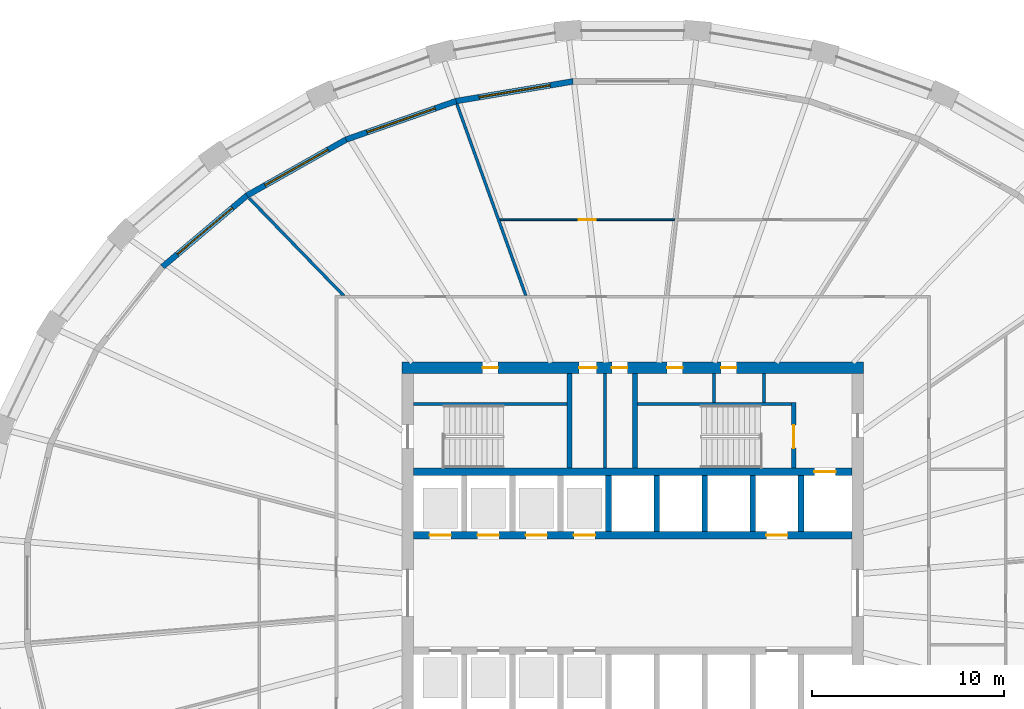
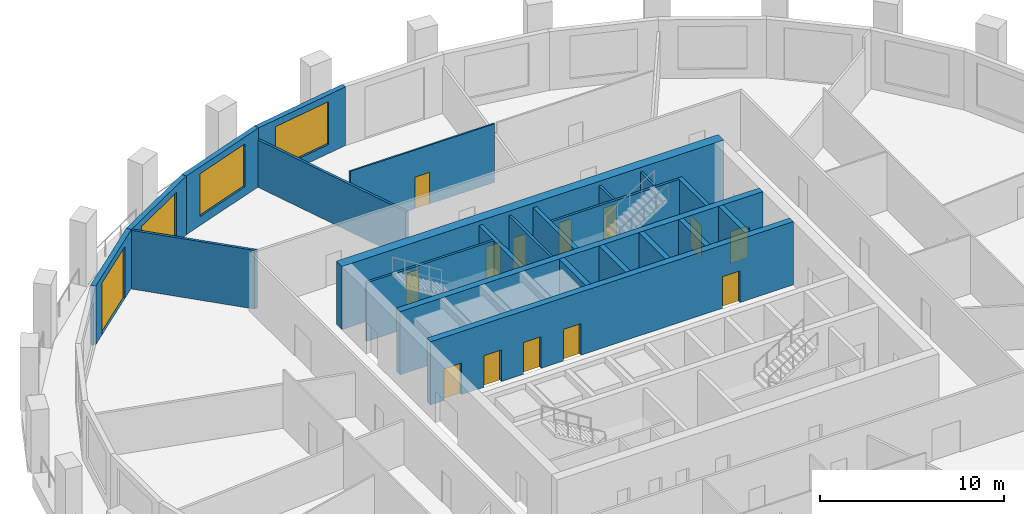
# One storey, part 6 of 11: 23 walls, 14 doors, 3 windows, 17 openings.
"""IFC4 building model written with IfcOpenShell, lengths in metres."""

from ifc_helpers import new_model, si_unit, direction, frame, frame_2d, origin, place, context, subcontext, project, spatial, polyline, rectangle, outline, extrude, material, layer, layer_set, type_object, element, fill, save


model = new_model("IFC4")

# Units and contexts
model_context = context("Model", 3, precision=1e-05, world=origin(), true_north=direction((0.0, 1.0)))
body_context = subcontext(model_context, "Body", "Model", "MODEL_VIEW")
ifc_project = project(units=[si_unit("LENGTHUNIT", "METRE"), si_unit("AREAUNIT", "SQUARE_METRE"), si_unit("VOLUMEUNIT", "CUBIC_METRE"), si_unit("PLANEANGLEUNIT", "RADIAN"), si_unit("MASSUNIT", "GRAM", prefix="KILO")], contexts=[model_context])

# Site, building, storey
site_placement = place(None, origin())
site = spatial("IfcSite", under=ifc_project, at=site_placement, CompositionType="ELEMENT")
building_placement = place(site_placement, origin())
building = spatial("IfcBuilding", under=site, at=building_placement, Name="Halqa Exchange Tower", CompositionType="ELEMENT")
storey_placement = place(building_placement, frame((0.0, 0.0, 142.300048828125)))
storey = spatial("IfcBuildingStorey", under=building, at=storey_placement, Name="L32", CompositionType="ELEMENT", Elevation=142.300048828125)

# Walls
ifc_material_1 = material(Name="Fire-rated gypsum board")
ifc_layer_1 = layer(ifc_material_1, 0.14990234375)
ifc_layer_set_1 = layer_set([ifc_layer_1], Name="Fire-rated gypsum board")
wall_type_1 = type_object("IfcWallType", Name="Fire partition EI 60 150", PredefinedType="PARTITIONING", material=ifc_layer_set_1)
wall_1_placement = place(storey_placement, frame((-14.9921875, 15.423095703125, 0.0), z_axis=(0.0, 0.0, 1.0), x_axis=(-0.696328171708, 0.717723538199, 0.0)))
element("IfcWall", 1, at=wall_1_placement, inside=storey, type_object=wall_type_1, Name="L32-PWL-010", PredefinedType="PARTITIONING", context=body_context, shape_type="SweptSolid", body=[
    extrude(outline(polyline([(7.10888671875, 0.074951171875), (5.367919921875, 0.074951171875), (3.626953125, 0.074951171875), (1.885986328125, 0.074951171875), (0.14501953125, 0.074951171875), (0.0, -0.074462890625), (0.0, -0.074951171875), (1.77734375, -0.074951171875), (3.554443359375, -0.074951171875), (5.33154296875, -0.074951171875), (7.10888671875, -0.074951171875), (7.10888671875, 0.074951171875)])), origin(), (0.0, 0.0, 1.0), 3.89990234375),
])
wall_2_placement = place(storey_placement, frame((-9.136962890625, 25.423583984375, 0.0), z_axis=(0.0, 0.0, 1.0), x_axis=(0.338602834386, -0.940929391902, 0.0)))
element("IfcWall", 2, at=wall_2_placement, inside=storey, type_object=wall_type_1, Name="L32-PWL-013", PredefinedType="PARTITIONING", context=body_context, shape_type="SweptSolid", body=[
    extrude(outline(polyline([(0.0, -0.074951171875), (1.7578125, -0.074951171875), (3.515380859375, -0.074951171875), (5.273193359375, -0.074951171875), (7.03076171875, -0.074951171875), (8.78857421875, -0.074951171875), (10.546142578125, -0.074951171875), (10.599853515625, 0.07421875), (10.599853515625, 0.074951171875), (9.227294921875, 0.074951171875), (7.8544921875, 0.074951171875), (6.48193359375, 0.074951171875), (6.4814453125, 0.07421875), (6.4794921875, 0.074951171875), (4.86279296875, 0.074951171875), (3.246337890625, 0.074951171875), (1.6298828125, 0.074951171875), (0.01318359375, 0.074951171875), (0.00048828125, 0.003662109375), (0.0, -0.03857421875), (0.0, -0.074951171875)])), origin(), (0.0, 0.0, 1.0), 3.14697265625),
])

# Wall, opening, door
ifc_material_2 = material(Name="Gypsum board")
ifc_layer_2 = layer(ifc_material_2, 0.10009765625)
ifc_layer_set_2 = layer_set([ifc_layer_2], Name="Gypsum board")
wall_type_2 = type_object("IfcWallType", Name="Partition 100 gypsum", PredefinedType="PARTITIONING", material=ifc_layer_set_2)
wall_3_placement = place(storey_placement, frame((-6.907470703125, 19.39990234375, 0.0), z_axis=(0.0, 0.0, 1.0), x_axis=(1.0, 0.0, 0.0)))
wall_3 = element("IfcWall", 3, at=wall_3_placement, inside=storey, type_object=wall_type_2, Name="L32-PWL-014", PredefinedType="PARTITIONING", context=body_context, shape_type="SweptSolid", body=[
    extrude(outline(polyline([(0.035888671875, -0.050048828125), (1.847900390625, -0.050048828125), (3.659912109375, -0.050048828125), (5.471923828125, -0.050048828125), (7.283935546875, -0.050048828125), (9.095947265625, -0.050048828125), (9.107421875, 0.047119140625), (9.107421875, 0.050048828125), (7.285888671875, 0.050048828125), (5.46435546875, 0.050048828125), (3.64306640625, 0.050048828125), (1.821533203125, 0.050048828125), (0.0, 0.050048828125), (0.0, 0.04931640625), (0.035888671875, -0.050048828125)])), origin(), (0.0, 0.0, 1.0), 3.89990234375),
])
opening_1_placement = place(wall_3_placement, frame((4.1025390625, 0.0, 0.0)))
opening_1 = element("IfcOpeningElement", 4, at=opening_1_placement, cuts=wall_3, Name="Opening 10-19", PredefinedType="OPENING", context=body_context, shape_type="SweptSolid", body=[
    extrude(rectangle(XDim=0.89990234375, YDim=2.10009765625, at=frame_2d((0.449951171875, 1.050048828125))), frame((0.0, 0.06201171875, 0.0), z_axis=(0.0, -1.0, 0.0), x_axis=(1.0, 0.0, 0.0)), (0.0, 0.0, 1.0), 0.1240234375),
])
ifc_material_3 = material(Name="Timber door leaf", Category="wood")
door_type_1 = type_object("IfcDoorType", Name="Door 900 x 2100", OperationType="SINGLE_SWING_LEFT", PredefinedType="DOOR", material=ifc_material_3)
door_1_placement = place(opening_1_placement, frame((0.89990234375, 0.0, 0.0), z_axis=(0.0, 0.0, 1.0), x_axis=(-1.0, 0.0, 0.0)))
door_1 = element("IfcDoor", 5, at=door_1_placement, inside=storey, type_object=door_type_1, Name="L32-IDR-019", OperationType="SINGLE_SWING_RIGHT", OverallHeight=2.10009765625, OverallWidth=0.89990234375, PredefinedType="DOOR", context=body_context, shape_type="SweptSolid", body=[
    extrude(rectangle(XDim=0.89990234375, YDim=2.10009765625, at=frame_2d((0.449951171875, 1.050048828125))), frame((0.0, 0.02490234375, 0.0), z_axis=(0.0, -1.0, 0.0), x_axis=(1.0, 0.0, 0.0)), (0.0, 0.0, 1.0), 0.050048828125),
])
fill(opening_1, door_1)

# Walls
ifc_layer_3 = layer(ifc_material_2, 0.14990234375)
ifc_layer_set_3 = layer_set([ifc_layer_3], Name="Gypsum board")
wall_type_3 = type_object("IfcWallType", Name="Penthouse riser wall 150 gypsum", PredefinedType="PARTITIONING", material=ifc_layer_set_3)
wall_4_placement = place(storey_placement, frame((-1.425048828125, 6.5, 0.0), z_axis=(0.0, 0.0, 1.0), x_axis=(0.0, 1.0, 0.0)))
element("IfcWall", 6, at=wall_4_placement, inside=storey, type_object=wall_type_3, Name="Partition W1.425 N", PredefinedType="PARTITIONING", context=body_context, shape_type="SweptSolid", body=[
    extrude(rectangle(XDim=4.89990234375, YDim=0.14990234375, at=frame_2d((2.449951171875, 0.0))), origin(), (0.0, 0.0, 1.0), 3.89990234375),
])
for number, where, z_axis, x_axis, name in (
    (7, (4.22509765625, 9.89990234375, 0.0), (0.0, 0.0, 1.0), (0.0, 1.0, 0.0), "Partition E4.225 N"),
    (8, (6.824951171875, 9.89990234375, 0.0), (0.0, 0.0, 1.0), (0.0, 1.0, 0.0), "Firefighting lobby west wall N"),
):
    element("IfcWall", number, at=place(storey_placement, frame(where, z_axis=z_axis, x_axis=x_axis)), inside=storey, type_object=wall_type_3, Name=name, PredefinedType="PARTITIONING", context=body_context, shape_type="SweptSolid", body=[
        extrude(rectangle(XDim=1.5, YDim=0.14990234375, at=frame_2d((0.75, 0.0))), origin(), (0.0, 0.0, 1.0), 3.89990234375),
    ])
ifc_material_4 = material(Name="Concrete C60/75", Category="concrete")
ifc_layer_4 = layer(ifc_material_4, 0.300048828125)
ifc_layer_set_4 = layer_set([ifc_layer_4], Name="Concrete C60/75")
wall_type_4 = type_object("IfcWallType", Name="RC core wall 300", PredefinedType="SHEAR", material=ifc_layer_set_4)
for number, where, z_axis, x_axis, name in (
    (9, (-1.25, 3.199951171875, 0.0), (0.0, 0.0, 1.0), (0.0, 1.0, 0.0), "Shaft divider N4"),
    (10, (1.25, 3.199951171875, 0.0), (0.0, 0.0, 1.0), (0.0, 1.0, 0.0), "Shaft divider N5"),
    (11, (3.75, 3.199951171875, 0.0), (0.0, 0.0, 1.0), (0.0, 1.0, 0.0), "Shaft divider N6"),
    (12, (6.25, 3.199951171875, 0.0), (0.0, 0.0, 1.0), (0.0, 1.0, 0.0), "Shaft divider N7"),
    (13, (8.75, 3.199951171875, 0.0), (0.0, 0.0, 1.0), (0.0, 1.0, 0.0), "Shaft divider N8"),
):
    element("IfcWall", number, at=place(storey_placement, frame(where, z_axis=z_axis, x_axis=x_axis)), inside=storey, type_object=wall_type_4, Name=name, PredefinedType="SHEAR", context=body_context, shape_type="SweptSolid", body=[
        extrude(rectangle(XDim=2.900146484375, YDim=0.300048828125, at=frame_2d((1.4501953125, 0.0))), origin(), (0.0, 0.0, 1.0), 4.199951171875),
    ])

# Wall, openings, doors
ifc_material_5 = material(Name="Concrete C70/85", Category="concrete")
ifc_layer_5 = layer(ifc_material_5, 0.39990234375)
ifc_layer_set_5 = layer_set([ifc_layer_5], Name="Concrete C70/85")
wall_type_5 = type_object("IfcWallType", Name="RC core wall 400 C70/85", PredefinedType="SHEAR", material=ifc_layer_set_5)
wall_5_placement = place(storey_placement, frame((-11.39990234375, 3.0, 0.0), z_axis=(0.0, 0.0, 1.0), x_axis=(1.0, 0.0, 0.0)))
wall_5 = element("IfcWall", 14, at=wall_5_placement, inside=storey, type_object=wall_type_5, Name="Lift row front wall N", PredefinedType="SHEAR", context=body_context, shape_type="SweptSolid", body=[
    extrude(rectangle(XDim=22.7998046875, YDim=0.39990234375, at=frame_2d((11.39990234375, 0.0))), origin(), (0.0, 0.0, 1.0), 4.199951171875),
])
opening_2_placement = place(wall_5_placement, frame((0.85009765625, 0.0, 0.0)))
opening_2 = element("IfcOpeningElement", 15, at=opening_2_placement, cuts=wall_5, Name="Opening LD-LR1-T10", PredefinedType="OPENING", context=body_context, shape_type="SweptSolid", body=[
    extrude(rectangle(XDim=1.10009765625, YDim=2.10009765625, at=frame_2d((0.550048828125, 1.050048828125))), frame((0.0, 0.2119140625, 0.0), z_axis=(0.0, -1.0, 0.0), x_axis=(1.0, 0.0, 0.0)), (0.0, 0.0, 1.0), 0.423828125),
])
opening_3_placement = place(wall_5_placement, frame((3.35009765625, 0.0, 0.0)))
opening_3 = element("IfcOpeningElement", 16, at=opening_3_placement, cuts=wall_5, Name="Opening LD-LR2-T10", PredefinedType="OPENING", context=body_context, shape_type="SweptSolid", body=[
    extrude(rectangle(XDim=1.10009765625, YDim=2.10009765625, at=frame_2d((0.550048828125, 1.050048828125))), frame((0.0, 0.2119140625, 0.0), z_axis=(0.0, -1.0, 0.0), x_axis=(1.0, 0.0, 0.0)), (0.0, 0.0, 1.0), 0.423828125),
])
opening_4_placement = place(wall_5_placement, frame((5.85009765625, 0.0, 0.0)))
opening_4 = element("IfcOpeningElement", 17, at=opening_4_placement, cuts=wall_5, Name="Opening LD-LR3-T10", PredefinedType="OPENING", context=body_context, shape_type="SweptSolid", body=[
    extrude(rectangle(XDim=1.10009765625, YDim=2.10009765625, at=frame_2d((0.550048828125, 1.050048828125))), frame((0.0, 0.2119140625, 0.0), z_axis=(0.0, -1.0, 0.0), x_axis=(1.0, 0.0, 0.0)), (0.0, 0.0, 1.0), 0.423828125),
])
opening_5_placement = place(wall_5_placement, frame((8.35009765625, 0.0, 0.0)))
opening_5 = element("IfcOpeningElement", 18, at=opening_5_placement, cuts=wall_5, Name="Opening LD-LR4-T10", PredefinedType="OPENING", context=body_context, shape_type="SweptSolid", body=[
    extrude(rectangle(XDim=1.10009765625, YDim=2.10009765625, at=frame_2d((0.550048828125, 1.050048828125))), frame((0.0, 0.2119140625, 0.0), z_axis=(0.0, -1.0, 0.0), x_axis=(1.0, 0.0, 0.0)), (0.0, 0.0, 1.0), 0.423828125),
])
opening_6_placement = place(wall_5_placement, frame((18.35009765625, 0.0, 0.0)))
opening_6 = element("IfcOpeningElement", 19, at=opening_6_placement, cuts=wall_5, Name="Opening LD-SV1-T10", PredefinedType="OPENING", context=body_context, shape_type="SweptSolid", body=[
    extrude(rectangle(XDim=1.10009765625, YDim=2.10009765625, at=frame_2d((0.550048828125, 1.050048828125))), frame((0.0, 0.2119140625, 0.0), z_axis=(0.0, -1.0, 0.0), x_axis=(1.0, 0.0, 0.0)), (0.0, 0.0, 1.0), 0.423828125),
])
ifc_material_6 = material(Name="Stainless steel", Category="steel")
door_type_2 = type_object("IfcDoorType", Name="Lift landing door 1100 x 2100", OperationType="SLIDING_TO_LEFT", PredefinedType="DOOR", material=ifc_material_6)
door_2_placement = place(opening_2_placement, origin())
door_2 = element("IfcDoor", 20, at=door_2_placement, inside=storey, type_object=door_type_2, Name="Lift landing door LR1", OperationType="SLIDING_TO_LEFT", OverallHeight=2.10009765625, OverallWidth=1.10009765625, PredefinedType="DOOR", context=body_context, shape_type="SweptSolid", body=[
    extrude(rectangle(XDim=1.10009765625, YDim=2.10009765625, at=frame_2d((0.550048828125, 1.050048828125))), frame((0.0, 0.02490234375, 0.0), z_axis=(0.0, -1.0, 0.0), x_axis=(1.0, 0.0, 0.0)), (0.0, 0.0, 1.0), 0.050048828125),
])
fill(opening_2, door_2)
door_3_placement = place(opening_3_placement, origin())
door_3 = element("IfcDoor", 21, at=door_3_placement, inside=storey, type_object=door_type_2, Name="Lift landing door LR2", OperationType="SLIDING_TO_LEFT", OverallHeight=2.10009765625, OverallWidth=1.10009765625, PredefinedType="DOOR", context=body_context, shape_type="SweptSolid", body=[
    extrude(rectangle(XDim=1.10009765625, YDim=2.10009765625, at=frame_2d((0.550048828125, 1.050048828125))), frame((0.0, 0.02490234375, 0.0), z_axis=(0.0, -1.0, 0.0), x_axis=(1.0, 0.0, 0.0)), (0.0, 0.0, 1.0), 0.050048828125),
])
fill(opening_3, door_3)
door_4_placement = place(opening_4_placement, origin())
door_4 = element("IfcDoor", 22, at=door_4_placement, inside=storey, type_object=door_type_2, Name="Lift landing door LR3", OperationType="SLIDING_TO_LEFT", OverallHeight=2.10009765625, OverallWidth=1.10009765625, PredefinedType="DOOR", context=body_context, shape_type="SweptSolid", body=[
    extrude(rectangle(XDim=1.10009765625, YDim=2.10009765625, at=frame_2d((0.550048828125, 1.050048828125))), frame((0.0, 0.02490234375, 0.0), z_axis=(0.0, -1.0, 0.0), x_axis=(1.0, 0.0, 0.0)), (0.0, 0.0, 1.0), 0.050048828125),
])
fill(opening_4, door_4)
door_5_placement = place(opening_5_placement, origin())
door_5 = element("IfcDoor", 23, at=door_5_placement, inside=storey, type_object=door_type_2, Name="Lift landing door LR4", OperationType="SLIDING_TO_LEFT", OverallHeight=2.10009765625, OverallWidth=1.10009765625, PredefinedType="DOOR", context=body_context, shape_type="SweptSolid", body=[
    extrude(rectangle(XDim=1.10009765625, YDim=2.10009765625, at=frame_2d((0.550048828125, 1.050048828125))), frame((0.0, 0.02490234375, 0.0), z_axis=(0.0, -1.0, 0.0), x_axis=(1.0, 0.0, 0.0)), (0.0, 0.0, 1.0), 0.050048828125),
])
fill(opening_5, door_5)
door_6_placement = place(opening_6_placement, origin())
door_6 = element("IfcDoor", 24, at=door_6_placement, inside=storey, type_object=door_type_2, Name="Lift landing door SV1", OperationType="SLIDING_TO_LEFT", OverallHeight=2.10009765625, OverallWidth=1.10009765625, PredefinedType="DOOR", context=body_context, shape_type="SweptSolid", body=[
    extrude(rectangle(XDim=1.10009765625, YDim=2.10009765625, at=frame_2d((0.550048828125, 1.050048828125))), frame((0.0, 0.02490234375, 0.0), z_axis=(0.0, -1.0, 0.0), x_axis=(1.0, 0.0, 0.0)), (0.0, 0.0, 1.0), 0.050048828125),
])
fill(opening_6, door_6)

# Wall, opening, door
wall_6_placement = place(storey_placement, frame((-11.39990234375, 6.300048828125, 0.0), z_axis=(0.0, 0.0, 1.0), x_axis=(1.0, 0.0, 0.0)))
wall_6 = element("IfcWall", 25, at=wall_6_placement, inside=storey, type_object=wall_type_5, Name="Lift row back wall N", PredefinedType="SHEAR", context=body_context, shape_type="SweptSolid", body=[
    extrude(rectangle(XDim=22.7998046875, YDim=0.39990234375, at=frame_2d((11.39990234375, 0.0))), origin(), (0.0, 0.0, 1.0), 4.199951171875),
])
opening_7_placement = place(wall_6_placement, frame((20.85009765625, 0.0, 0.0)))
opening_7 = element("IfcOpeningElement", 26, at=opening_7_placement, cuts=wall_6, Name="Opening LD-FF1-T10", PredefinedType="OPENING", context=body_context, shape_type="SweptSolid", body=[
    extrude(rectangle(XDim=1.10009765625, YDim=2.10009765625, at=frame_2d((0.550048828125, 1.050048828125))), frame((0.0, 0.2119140625, 0.0), z_axis=(0.0, -1.0, 0.0), x_axis=(1.0, 0.0, 0.0)), (0.0, 0.0, 1.0), 0.423828125),
])
door_7_placement = place(opening_7_placement, origin())
door_7 = element("IfcDoor", 27, at=door_7_placement, inside=storey, type_object=door_type_2, Name="Lift landing door FF1", OperationType="SLIDING_TO_LEFT", OverallHeight=2.10009765625, OverallWidth=1.10009765625, PredefinedType="DOOR", context=body_context, shape_type="SweptSolid", body=[
    extrude(rectangle(XDim=1.10009765625, YDim=2.10009765625, at=frame_2d((0.550048828125, 1.050048828125))), frame((0.0, 0.02490234375, 0.0), z_axis=(0.0, -1.0, 0.0), x_axis=(1.0, 0.0, 0.0)), (0.0, 0.0, 1.0), 0.050048828125),
])
fill(opening_7, door_7)

# Wall, openings, doors
ifc_layer_6 = layer(ifc_material_5, 0.60009765625)
ifc_layer_set_6 = layer_set([ifc_layer_6], Name="Concrete C70/85")
wall_type_6 = type_object("IfcWallType", Name="RC core wall 600 C70/85", PredefinedType="SHEAR", material=ifc_layer_set_6)
wall_7_placement = place(storey_placement, frame((-12.0, 11.699951171875, 0.0), z_axis=(0.0, 0.0, 1.0), x_axis=(1.0, 0.0, 0.0)))
wall_7 = element("IfcWall", 28, at=wall_7_placement, inside=storey, type_object=wall_type_6, Name="Core wall north", PredefinedType="SHEAR", context=body_context, shape_type="SweptSolid", body=[
    extrude(rectangle(XDim=24.0, YDim=0.60009765625, at=frame_2d((12.0, 0.0))), origin(), (0.0, 0.0, 1.0), 4.199951171875),
])
opening_8_placement = place(wall_7_placement, frame((9.22509765625, 0.0, 0.0)))
opening_8 = element("IfcOpeningElement", 29, at=opening_8_placement, cuts=wall_7, Name="Opening T10-C21", PredefinedType="OPENING", context=body_context, shape_type="SweptSolid", body=[
    extrude(rectangle(XDim=0.89990234375, YDim=2.10009765625, at=frame_2d((0.449951171875, 1.050048828125))), frame((0.0, 0.31201171875, 0.0), z_axis=(0.0, -1.0, 0.0), x_axis=(1.0, 0.0, 0.0)), (0.0, 0.0, 1.0), 0.6240234375),
])
opening_9_placement = place(wall_7_placement, frame((10.925048828125, 0.0, 0.0)))
opening_9 = element("IfcOpeningElement", 30, at=opening_9_placement, cuts=wall_7, Name="Opening T10-C22", PredefinedType="OPENING", context=body_context, shape_type="SweptSolid", body=[
    extrude(rectangle(XDim=0.800048828125, YDim=2.10009765625, at=frame_2d((0.39990234375, 1.050048828125))), frame((0.0, 0.31201171875, 0.0), z_axis=(0.0, -1.0, 0.0), x_axis=(1.0, 0.0, 0.0)), (0.0, 0.0, 1.0), 0.6240234375),
])
opening_10_placement = place(wall_7_placement, frame((4.199951171875, 0.0, 0.0)))
opening_10 = element("IfcOpeningElement", 31, at=opening_10_placement, cuts=wall_7, Name="Opening T10-C23", PredefinedType="OPENING", context=body_context, shape_type="SweptSolid", body=[
    extrude(rectangle(XDim=0.800048828125, YDim=2.10009765625, at=frame_2d((0.39990234375, 1.050048828125))), frame((0.0, 0.31201171875, 0.0), z_axis=(0.0, -1.0, 0.0), x_axis=(1.0, 0.0, 0.0)), (0.0, 0.0, 1.0), 0.6240234375),
])
opening_11_placement = place(wall_7_placement, frame((13.800048828125, 0.0, 0.0)))
opening_11 = element("IfcOpeningElement", 32, at=opening_11_placement, cuts=wall_7, Name="Opening T10-C24", PredefinedType="OPENING", context=body_context, shape_type="SweptSolid", body=[
    extrude(rectangle(XDim=0.800048828125, YDim=2.10009765625, at=frame_2d((0.39990234375, 1.050048828125))), frame((0.0, 0.31201171875, 0.0), z_axis=(0.0, -1.0, 0.0), x_axis=(1.0, 0.0, 0.0)), (0.0, 0.0, 1.0), 0.6240234375),
])
opening_12_placement = place(wall_7_placement, frame((16.60009765625, 0.0, 0.0)))
opening_12 = element("IfcOpeningElement", 33, at=opening_12_placement, cuts=wall_7, Name="Opening T10-C25", PredefinedType="OPENING", context=body_context, shape_type="SweptSolid", body=[
    extrude(rectangle(XDim=0.800048828125, YDim=2.10009765625, at=frame_2d((0.39990234375, 1.050048828125))), frame((0.0, 0.31201171875, 0.0), z_axis=(0.0, -1.0, 0.0), x_axis=(1.0, 0.0, 0.0)), (0.0, 0.0, 1.0), 0.6240234375),
])
ifc_material_7 = material(Name="Timber fire door leaf", Category="wood")
door_type_3 = type_object("IfcDoorType", Name="Core room door FD30 900 x 2100", OperationType="SINGLE_SWING_LEFT", PredefinedType="DOOR", material=ifc_material_7)
door_8_placement = place(opening_8_placement, frame((0.89990234375, 0.0, 0.0), z_axis=(0.0, 0.0, 1.0), x_axis=(-1.0, 0.0, 0.0)))
door_8 = element("IfcDoor", 34, at=door_8_placement, inside=storey, type_object=door_type_3, Name="Core room door", OperationType="SINGLE_SWING_RIGHT", OverallHeight=2.10009765625, OverallWidth=0.89990234375, PredefinedType="DOOR", context=body_context, shape_type="SweptSolid", body=[
    extrude(rectangle(XDim=0.89990234375, YDim=2.10009765625, at=frame_2d((0.449951171875, 1.050048828125))), frame((0.0, 0.02490234375, 0.0), z_axis=(0.0, -1.0, 0.0), x_axis=(1.0, 0.0, 0.0)), (0.0, 0.0, 1.0), 0.050048828125),
])
fill(opening_8, door_8)
ifc_material_8 = material(Name="Steel fire door leaf", Category="steel")
door_type_4 = type_object("IfcDoorType", Name="Riser door FD60 800 x 2100", OperationType="SINGLE_SWING_LEFT", PredefinedType="DOOR", material=ifc_material_8)
door_9_placement = place(opening_9_placement, frame((0.800048828125, 0.0, 0.0), z_axis=(0.0, 0.0, 1.0), x_axis=(-1.0, 0.0, 0.0)))
door_9 = element("IfcDoor", 35, at=door_9_placement, inside=storey, type_object=door_type_4, Name="Core room door", OperationType="SINGLE_SWING_RIGHT", OverallHeight=2.10009765625, OverallWidth=0.800048828125, PredefinedType="DOOR", context=body_context, shape_type="SweptSolid", body=[
    extrude(rectangle(XDim=0.800048828125, YDim=2.10009765625, at=frame_2d((0.39990234375, 1.050048828125))), frame((0.0, 0.02490234375, 0.0), z_axis=(0.0, -1.0, 0.0), x_axis=(1.0, 0.0, 0.0)), (0.0, 0.0, 1.0), 0.050048828125),
])
fill(opening_9, door_9)
door_10_placement = place(opening_10_placement, frame((0.800048828125, 0.0, 0.0), z_axis=(0.0, 0.0, 1.0), x_axis=(-1.0, 0.0, 0.0)))
door_10 = element("IfcDoor", 36, at=door_10_placement, inside=storey, type_object=door_type_4, Name="Core room door", OperationType="SINGLE_SWING_RIGHT", OverallHeight=2.10009765625, OverallWidth=0.800048828125, PredefinedType="DOOR", context=body_context, shape_type="SweptSolid", body=[
    extrude(rectangle(XDim=0.800048828125, YDim=2.10009765625, at=frame_2d((0.39990234375, 1.050048828125))), frame((0.0, 0.02490234375, 0.0), z_axis=(0.0, -1.0, 0.0), x_axis=(1.0, 0.0, 0.0)), (0.0, 0.0, 1.0), 0.050048828125),
])
fill(opening_10, door_10)
door_11_placement = place(opening_11_placement, frame((0.800048828125, 0.0, 0.0), z_axis=(0.0, 0.0, 1.0), x_axis=(-1.0, 0.0, 0.0)))
door_11 = element("IfcDoor", 37, at=door_11_placement, inside=storey, type_object=door_type_4, Name="Core room door", OperationType="SINGLE_SWING_LEFT", OverallHeight=2.10009765625, OverallWidth=0.800048828125, PredefinedType="DOOR", context=body_context, shape_type="SweptSolid", body=[
    extrude(rectangle(XDim=0.800048828125, YDim=2.10009765625, at=frame_2d((0.39990234375, 1.050048828125))), frame((0.0, 0.02490234375, 0.0), z_axis=(0.0, -1.0, 0.0), x_axis=(1.0, 0.0, 0.0)), (0.0, 0.0, 1.0), 0.050048828125),
])
fill(opening_11, door_11)
door_12_placement = place(opening_12_placement, frame((0.800048828125, 0.0, 0.0), z_axis=(0.0, 0.0, 1.0), x_axis=(-1.0, 0.0, 0.0)))
door_12 = element("IfcDoor", 38, at=door_12_placement, inside=storey, type_object=door_type_4, Name="Core room door", OperationType="SINGLE_SWING_LEFT", OverallHeight=2.10009765625, OverallWidth=0.800048828125, PredefinedType="DOOR", context=body_context, shape_type="SweptSolid", body=[
    extrude(rectangle(XDim=0.800048828125, YDim=2.10009765625, at=frame_2d((0.39990234375, 1.050048828125))), frame((0.0, 0.02490234375, 0.0), z_axis=(0.0, -1.0, 0.0), x_axis=(1.0, 0.0, 0.0)), (0.0, 0.0, 1.0), 0.050048828125),
])
fill(opening_12, door_12)

# Walls
ifc_material_9 = material(Name="Concrete C30/37", Category="concrete")
ifc_layer_7 = layer(ifc_material_9, 0.14990234375)
ifc_layer_set_7 = layer_set([ifc_layer_7], Name="Concrete C30/37")
wall_type_7 = type_object("IfcWallType", Name="RC stair wall 150 C30/37", PredefinedType="SHEAR", material=ifc_layer_set_7)
for number, where, z_axis, x_axis, name in (
    (39, (-11.39990234375, 9.824951171875, 0.0), (0.0, 0.0, 1.0), (1.0, 0.0, 0.0), "Stair ST1 north wall N"),
    (40, (0.25, 9.824951171875, 0.0), (0.0, 0.0, 1.0), (1.0, 0.0, 0.0), "Stair ST2 north wall N"),
):
    element("IfcWall", number, at=place(storey_placement, frame(where, z_axis=z_axis, x_axis=x_axis)), inside=storey, type_object=wall_type_7, Name=name, PredefinedType="SHEAR", context=body_context, shape_type="SweptSolid", body=[
        extrude(rectangle(XDim=8.0, YDim=0.14990234375, at=frame_2d((4.0, 0.0))), origin(), (0.0, 0.0, 1.0), 3.89990234375),
    ])
ifc_layer_8 = layer(ifc_material_9, 0.25)
ifc_layer_set_8 = layer_set([ifc_layer_8], Name="Concrete C30/37")
wall_type_8 = type_object("IfcWallType", Name="RC stair wall 250 C30/37", PredefinedType="SHEAR", material=ifc_layer_set_8)
for number, where, z_axis, x_axis, name in (
    (41, (-3.27490234375, 6.5, 0.0), (0.0, 0.0, 1.0), (0.0, 1.0, 0.0), "Stair ST1 east wall N"),
    (42, (0.125, 6.5, 0.0), (0.0, 0.0, 1.0), (0.0, 1.0, 0.0), "Stair ST2 west wall N"),
):
    element("IfcWall", number, at=place(storey_placement, frame(where, z_axis=z_axis, x_axis=x_axis)), inside=storey, type_object=wall_type_8, Name=name, PredefinedType="SHEAR", context=body_context, shape_type="SweptSolid", body=[
        extrude(rectangle(XDim=4.89990234375, YDim=0.25, at=frame_2d((2.449951171875, 0.0))), origin(), (0.0, 0.0, 1.0), 3.89990234375),
    ])

# Wall, opening, door
wall_8_placement = place(storey_placement, frame((8.375, 6.5, 0.0), z_axis=(0.0, 0.0, 1.0), x_axis=(0.0, 1.0, 0.0)))
wall_8 = element("IfcWall", 43, at=wall_8_placement, inside=storey, type_object=wall_type_8, Name="Stair ST2 east wall N", PredefinedType="SHEAR", context=body_context, shape_type="SweptSolid", body=[
    extrude(rectangle(XDim=3.39990234375, YDim=0.25, at=frame_2d((1.699951171875, 0.0))), origin(), (0.0, 0.0, 1.0), 3.89990234375),
])
opening_13_placement = place(wall_8_placement, frame((1.02490234375, 0.0, 0.0)))
opening_13 = element("IfcOpeningElement", 44, at=opening_13_placement, cuts=wall_8, Name="Opening T10-C16", PredefinedType="OPENING", context=body_context, shape_type="SweptSolid", body=[
    extrude(rectangle(XDim=1.199951171875, YDim=2.10009765625, at=frame_2d((0.60009765625, 1.050048828125))), frame((0.0, 0.136962890625, 0.0), z_axis=(0.0, -1.0, 0.0), x_axis=(1.0, 0.0, 0.0)), (0.0, 0.0, 1.0), 0.27392578125),
])
door_type_5 = type_object("IfcDoorType", Name="Stair door FD90 1200 x 2100", OperationType="SINGLE_SWING_LEFT", PredefinedType="DOOR", material=ifc_material_8)
door_13_placement = place(opening_13_placement, origin())
door_13 = element("IfcDoor", 45, at=door_13_placement, inside=storey, type_object=door_type_5, Name="Stair door ST2", OperationType="SINGLE_SWING_LEFT", OverallHeight=2.10009765625, OverallWidth=1.199951171875, PredefinedType="DOOR", context=body_context, shape_type="SweptSolid", body=[
    extrude(rectangle(XDim=1.199951171875, YDim=2.10009765625, at=frame_2d((0.60009765625, 1.050048828125))), frame((0.0, 0.02490234375, 0.0), z_axis=(0.0, -1.0, 0.0), x_axis=(1.0, 0.0, 0.0)), (0.0, 0.0, 1.0), 0.050048828125),
])
fill(opening_13, door_13)

# Wall, opening, window
ifc_material_10 = material(Name="Limestone cladding", Category="masonry")
ifc_layer_9 = layer(ifc_material_10, 0.0400390625)
ifc_material_11 = material(Name="Ventilated cavity")
ifc_layer_10 = layer(ifc_material_11, 0.030029296875, ventilated=True)
ifc_material_12 = material(Name="Mineral wool insulation")
ifc_layer_11 = layer(ifc_material_12, 0.10009765625)
ifc_layer_12 = layer(ifc_material_9, 0.10009765625)
ifc_material_13 = material(Name="Internal plaster")
ifc_layer_13 = layer(ifc_material_13, 0.030029296875)
ifc_layer_set_9 = layer_set([ifc_layer_9, ifc_layer_10, ifc_layer_11, ifc_layer_12, ifc_layer_13], Name="Stone-faced insulated wall 300")
wall_type_9 = type_object("IfcWallType", Name="Stone-faced insulated wall 300", PredefinedType="STANDARD", material=ifc_layer_set_9)
wall_9_placement = place(storey_placement, frame((-3.096435546875, 26.590576171875, 0.0), z_axis=(0.0, 0.0, 1.0), x_axis=(-0.986186393203, -0.165639360845, 0.0)))
wall_9 = element("IfcWall", 46, at=wall_9_placement, inside=storey, type_object=wall_type_9, Name="Glass-line wall 9", PredefinedType="STANDARD", context=body_context, shape_type="SweptSolid", body=[
    extrude(outline(polyline([(-0.012451171875, -0.14990234375), (6.17236328125, -0.14990234375), (6.14697265625, 0.14990234375), (0.012451171875, 0.14990234375), (-0.012451171875, -0.14990234375)])), origin(), (0.0, 0.0, 1.0), 3.89990234375),
])
opening_14_placement = place(wall_9_placement, frame((1.20458984375, 0.0, 0.60009765625)))
opening_14 = element("IfcOpeningElement", 47, at=opening_14_placement, cuts=wall_9, Name="Opening W-F2-09", PredefinedType="OPENING", context=body_context, shape_type="SweptSolid", body=[
    extrude(rectangle(XDim=3.75, YDim=2.85009765625, at=frame_2d((1.875, 1.425048828125))), frame((0.0, 0.162109375, 0.0), z_axis=(0.0, -1.0, 0.0), x_axis=(1.0, 0.0, 0.0)), (0.0, 0.0, 1.0), 0.323974609375),
])
ifc_material_14 = material(Name="Clear low-emissivity glass in aluminium frame", Category="aluminium")
window_type = type_object("IfcWindowType", Name="Fixed clear glazed window 3750 x 2850", PartitioningType="TRIPLE_PANEL_VERTICAL", PredefinedType="WINDOW", material=ifc_material_14)
window_1_placement = place(opening_14_placement, origin())
window_1 = element("IfcWindow", 48, at=window_1_placement, inside=storey, type_object=window_type, Name="Window 2", OverallHeight=2.85009765625, OverallWidth=3.75, PartitioningType="TRIPLE_PANEL_VERTICAL", PredefinedType="WINDOW", context=body_context, shape_type="SweptSolid", body=[
    extrude(rectangle(XDim=3.75, YDim=2.85009765625, at=frame_2d((1.875, 1.425048828125))), frame((0.0, 0.030029296875, 0.0), z_axis=(0.0, -1.0, 0.0), x_axis=(1.0, 0.0, 0.0)), (0.0, 0.0, 1.0), 0.06005859375),
])
fill(opening_14, window_1)

wall_10_placement = place(storey_placement, frame((-9.1708984375, 25.5703125, 0.0), z_axis=(0.0, 0.0, 1.0), x_axis=(-0.943925510212, -0.330158494016, 0.0)))
wall_10 = element("IfcWall", 49, at=wall_10_placement, inside=storey, type_object=wall_type_9, Name="Glass-line wall 10", PredefinedType="STANDARD", context=body_context, shape_type="SweptSolid", body=[
    extrude(outline(polyline([(-0.0126953125, -0.14990234375), (6.076416015625, -0.14990234375), (6.049560546875, 0.14990234375), (0.0126953125, 0.14990234375), (-0.0126953125, -0.14990234375)])), origin(), (0.0, 0.0, 1.0), 3.89990234375),
])
opening_15_placement = place(wall_10_placement, frame((1.156494140625, 0.0, 0.60009765625)))
opening_15 = element("IfcOpeningElement", 50, at=opening_15_placement, cuts=wall_10, Name="Opening W-F2-10", PredefinedType="OPENING", context=body_context, shape_type="SweptSolid", body=[
    extrude(rectangle(XDim=3.75, YDim=2.85009765625, at=frame_2d((1.875, 1.425048828125))), frame((0.0, 0.162109375, 0.0), z_axis=(0.0, -1.0, 0.0), x_axis=(1.0, 0.0, 0.0)), (0.0, 0.0, 1.0), 0.323974609375),
])
window_2_placement = place(opening_15_placement, origin())
window_2 = element("IfcWindow", 51, at=window_2_placement, inside=storey, type_object=window_type, Name="Window 2", OverallHeight=2.85009765625, OverallWidth=3.75, PartitioningType="TRIPLE_PANEL_VERTICAL", PredefinedType="WINDOW", context=body_context, shape_type="SweptSolid", body=[
    extrude(rectangle(XDim=3.75, YDim=2.85009765625, at=frame_2d((1.875, 1.425048828125))), frame((0.0, 0.030029296875, 0.0), z_axis=(0.0, -1.0, 0.0), x_axis=(1.0, 0.0, 0.0)), (0.0, 0.0, 1.0), 0.06005859375),
])
fill(opening_15, window_2)

wall_11_placement = place(storey_placement, frame((-14.893798828125, 23.568603515625, 0.0), z_axis=(0.0, 0.0, 1.0), x_axis=(-0.870912346166, -0.491438384028, 0.0)))
wall_11 = element("IfcWall", 52, at=wall_11_placement, inside=storey, type_object=wall_type_9, Name="Glass-line wall 11", PredefinedType="STANDARD", context=body_context, shape_type="SweptSolid", body=[
    extrude(outline(polyline([(-0.013427734375, -0.14990234375), (5.929931640625, -0.14990234375), (5.901611328125, 0.14990234375), (0.013427734375, 0.14990234375), (-0.013427734375, -0.14990234375)])), origin(), (0.0, 0.0, 1.0), 3.89990234375),
])
opening_16_placement = place(wall_11_placement, frame((1.0830078125, 0.0, 0.60009765625)))
opening_16 = element("IfcOpeningElement", 53, at=opening_16_placement, cuts=wall_11, Name="Opening W-F2-11", PredefinedType="OPENING", context=body_context, shape_type="SweptSolid", body=[
    extrude(rectangle(XDim=3.75, YDim=2.85009765625, at=frame_2d((1.875, 1.425048828125))), frame((0.0, 0.162109375, 0.0), z_axis=(0.0, -1.0, 0.0), x_axis=(1.0, 0.0, 0.0)), (0.0, 0.0, 1.0), 0.323974609375),
])
window_3_placement = place(opening_16_placement, origin())
window_3 = element("IfcWindow", 54, at=window_3_placement, inside=storey, type_object=window_type, Name="Window 2", OverallHeight=2.85009765625, OverallWidth=3.75, PartitioningType="TRIPLE_PANEL_VERTICAL", PredefinedType="WINDOW", context=body_context, shape_type="SweptSolid", body=[
    extrude(rectangle(XDim=3.75, YDim=2.85009765625, at=frame_2d((1.875, 1.425048828125))), frame((0.0, 0.030029296875, 0.0), z_axis=(0.0, -1.0, 0.0), x_axis=(1.0, 0.0, 0.0)), (0.0, 0.0, 1.0), 0.06005859375),
])
fill(opening_16, window_3)

# Wall, opening, door
wall_12_placement = place(storey_placement, frame((-20.0458984375, 20.661376953125, 0.0), z_axis=(0.0, 0.0, 1.0), x_axis=(-0.764047627809, -0.64515984255, 0.0)))
wall_12 = element("IfcWall", 55, at=wall_12_placement, inside=storey, type_object=wall_type_9, Name="Glass-line wall 12", PredefinedType="STANDARD", context=body_context, shape_type="SweptSolid", body=[
    extrude(outline(polyline([(-0.01416015625, -0.14990234375), (5.752685546875, -0.14990234375), (5.722412109375, 0.14990234375), (0.01416015625, 0.14990234375), (-0.01416015625, -0.14990234375)])), origin(), (0.0, 0.0, 1.0), 3.89990234375),
])
opening_17_placement = place(wall_12_placement, frame((0.99365234375, 0.0, 0.0)))
opening_17 = element("IfcOpeningElement", 56, at=opening_17_placement, cuts=wall_12, Name="Opening LG-F2-03", PredefinedType="OPENING", context=body_context, shape_type="SweptSolid", body=[
    extrude(rectangle(XDim=3.75, YDim=3.449951171875, at=frame_2d((1.875, 1.72509765625))), frame((0.0, 0.162109375, 0.0), z_axis=(0.0, -1.0, 0.0), x_axis=(1.0, 0.0, 0.0)), (0.0, 0.0, 1.0), 0.323974609375),
])
door_type_6 = type_object("IfcDoorType", Name="Glazed sliding loggia door 3750 x 3450", OperationType="DOUBLE_DOOR_SLIDING", PredefinedType="DOOR", material=ifc_material_14)
door_14_placement = place(opening_17_placement, origin())
door_14 = element("IfcDoor", 57, at=door_14_placement, inside=storey, type_object=door_type_6, Name="Loggia door 3", OperationType="DOUBLE_DOOR_SLIDING", OverallHeight=3.449951171875, OverallWidth=3.75, PredefinedType="DOOR", context=body_context, shape_type="SweptSolid", body=[
    extrude(rectangle(XDim=3.75, YDim=3.449951171875, at=frame_2d((1.875, 1.72509765625))), frame((0.0, 0.02490234375, 0.0), z_axis=(0.0, -1.0, 0.0), x_axis=(1.0, 0.0, 0.0)), (0.0, 0.0, 1.0), 0.050048828125),
])
fill(opening_17, door_14)

save(model, "model.ifc")
